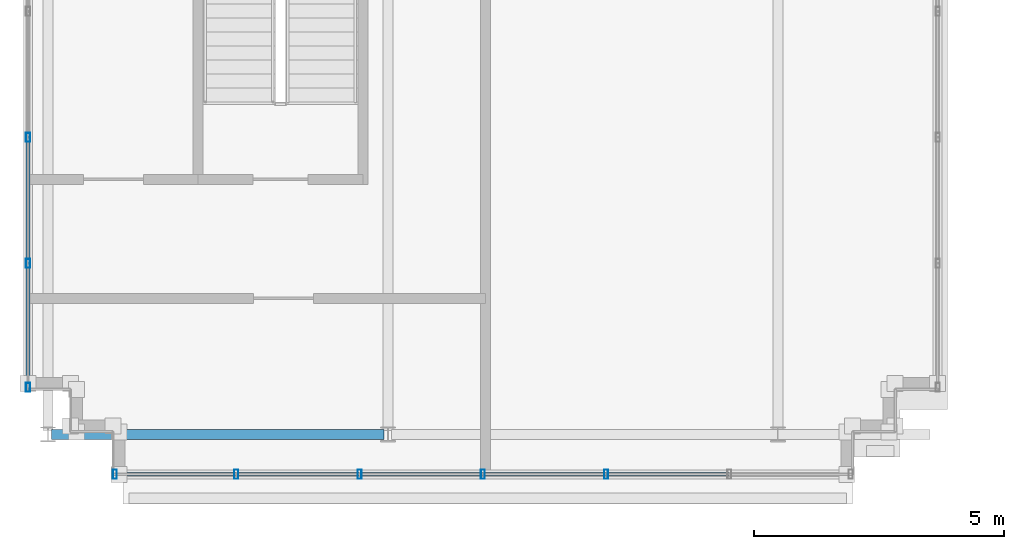
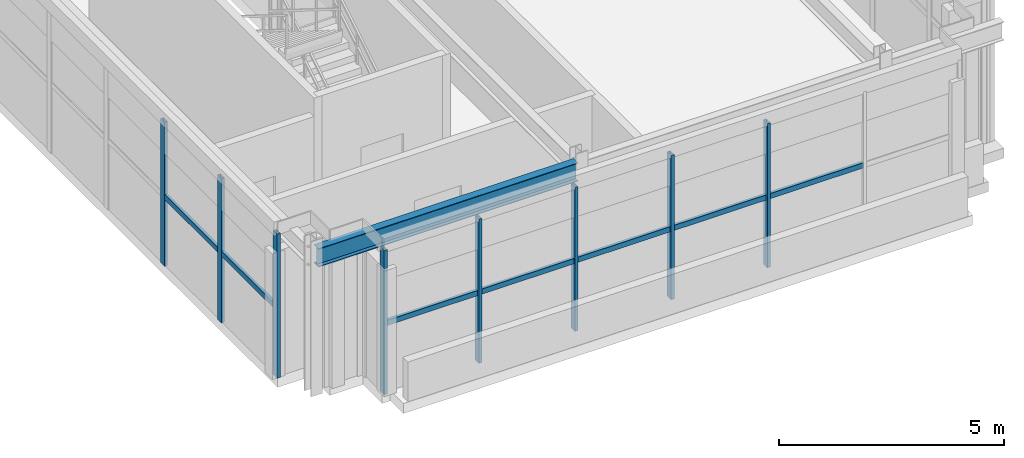
# One storey, part 3 of 25: 15 members, 1 beam, 2 elements without a shape of their own.
"""IFC4 building model written with IfcOpenShell, lengths in metres."""

from ifc_helpers import new_model, si_unit, direction, frame, origin, origin_2d, place, context, subcontext, project, spatial, hollow_rectangle, i_section, extrude, source, transform, mapped, material, material_profile, profile_set, type_object, element, aggregate, save


model = new_model("IFC4")

# Units and contexts
model_context = context("Model", 3, precision=1e-05, world=origin(), true_north=direction((0.0, 1.0)))
body_context = subcontext(model_context, "Body", "Model", "MODEL_VIEW")
ifc_project = project(units=[si_unit("LENGTHUNIT", "METRE"), si_unit("AREAUNIT", "SQUARE_METRE"), si_unit("VOLUMEUNIT", "CUBIC_METRE"), si_unit("PLANEANGLEUNIT", "RADIAN"), si_unit("MASSUNIT", "GRAM", prefix="KILO")], contexts=[model_context])

# Site, building, storey
site_placement = place(None, origin())
site = spatial("IfcSite", under=ifc_project, at=site_placement, CompositionType="ELEMENT")
building_placement = place(site_placement, origin())
building = spatial("IfcBuilding", under=site, at=building_placement, Name="Trelvane Seafront Commons", CompositionType="ELEMENT")
storey_placement = place(building_placement, frame((0.0, 0.0, 316.699951171875)))
storey = spatial("IfcBuildingStorey", under=building, at=storey_placement, Name="L82", CompositionType="ELEMENT", Elevation=316.699951171875)

# Beam
ifc_material_1 = material(Name="Steel SM355 (S355)", Category="steel")
ifc_material_profile_1 = material_profile(ifc_material_1, i_section(OverallWidth=0.199951171875, OverallDepth=0.5, WebThickness=0.010009765625, FlangeThickness=0.01611328125, at=origin_2d()), Name="H-500x200x10x16")
ifc_profile_set_1 = profile_set([ifc_material_profile_1], Name="Steel SM355 (S355)")
beam_type = type_object("IfcBeamType", Name="STR-CROWN-FRAME-RING", PredefinedType="SPANDREL", material=ifc_profile_set_1)
shared_shape_1 = source(origin(), body_context, "Body", "SweptSolid", [
    extrude(i_section(OverallWidth=0.199951171875, OverallDepth=0.5, WebThickness=0.010009765625, FlangeThickness=0.01611328125, at=origin_2d()), origin(), (0.0, 0.0, 1.0), 6.64990234375),
])
beam_placement = place(storey_placement, frame((8.875, 18.199951171875, 3.66015625), z_axis=(1.0, 0.0, 0.0), x_axis=(0.0, 1.0, 0.0)))
element("IfcBeam", 1, at=beam_placement, inside=storey, type_object=beam_type, Name="L82 CROWN FRAME Ring Beam G-01", PredefinedType="SPANDREL", context=body_context, shape_type="MappedRepresentation", body=[
    mapped(shared_shape_1, transform((0.0, 0.0, 0.0), x_axis=(1.0, 0.0, 0.0), y_axis=(0.0, 1.0, 0.0), z_axis=(0.0, 0.0, 1.0), scale=1.0)),
])

# Curtain wall, members
ifc_material_2 = material(Name="Anodised pale-silver aluminium", Category="aluminium")
curtain_wall_type = type_object("IfcCurtainWallType", Name="ARCH-CW6-CROWN", PredefinedType="NOTDEFINED", material=ifc_material_2)
curtain_wall_1_placement = place(storey_placement, origin())
curtain_wall_1 = element("IfcCurtainWall", 2, at=curtain_wall_1_placement, inside=storey, type_object=curtain_wall_type, Name="CW-L82-0152", PredefinedType="NOTDEFINED")
ifc_material_profile_2 = material_profile(ifc_material_2, hollow_rectangle(XDim=0.080078125, YDim=0.179931640625, WallThickness=0.00439453125, at=origin_2d()), Name="MULL-80x180x4.5")
ifc_profile_set_2 = profile_set([ifc_material_profile_2], Name="Anodised pale-silver aluminium")
member_type_1 = type_object("IfcMemberType", Name="ARCH-CW-MULL-180", PredefinedType="MULLION", material=ifc_profile_set_2)
shared_shape_2 = source(origin(), body_context, "Body", "SweptSolid", [
    extrude(hollow_rectangle(XDim=0.080078125, YDim=0.179931640625, WallThickness=0.00439453125, at=origin_2d()), origin(), (0.0, 0.0, 1.0), 3.91015625),
])
member_1_placement = place(storey_placement, frame((8.39990234375, 19.139892578125, 0.0), z_axis=(0.0, 0.0, 1.0), x_axis=(1.0, 0.0, 0.0)))
member_1 = element("IfcMember", 3, at=member_1_placement, type_object=member_type_1, Name="CW-L82-0152-M00", PredefinedType="MULLION", context=body_context, shape_type="MappedRepresentation", body=[
    mapped(shared_shape_2, transform((0.0, 0.0, 0.0), x_axis=(1.0, 0.0, 0.0), y_axis=(0.0, 1.0, 0.0), z_axis=(0.0, 0.0, 1.0), scale=1.0)),
])
member_2_placement = place(storey_placement, frame((8.39990234375, 21.6201171875, 0.0), z_axis=(0.0, 0.0, 1.0), x_axis=(1.0, 0.0, 0.0)))
member_2 = element("IfcMember", 4, at=member_2_placement, type_object=member_type_1, Name="CW-L82-0152-M01", PredefinedType="MULLION", context=body_context, shape_type="MappedRepresentation", body=[
    mapped(shared_shape_2, transform((0.0, 0.0, 0.0), x_axis=(1.0, 0.0, 0.0), y_axis=(0.0, 1.0, 0.0), z_axis=(0.0, 0.0, 1.0), scale=1.0)),
])
member_3_placement = place(storey_placement, frame((8.39990234375, 24.139892578125, 0.0), z_axis=(0.0, 0.0, 1.0), x_axis=(1.0, 0.0, 0.0)))
member_3 = element("IfcMember", 5, at=member_3_placement, type_object=member_type_1, Name="CW-L82-0152-M02", PredefinedType="MULLION", context=body_context, shape_type="MappedRepresentation", body=[
    mapped(shared_shape_2, transform((0.0, 0.0, 0.0), x_axis=(1.0, 0.0, 0.0), y_axis=(0.0, 1.0, 0.0), z_axis=(0.0, 0.0, 1.0), scale=1.0)),
])

curtain_wall_2_placement = place(storey_placement, origin())
curtain_wall_2 = element("IfcCurtainWall", 6, at=curtain_wall_2_placement, inside=storey, type_object=curtain_wall_type, Name="CW-L82-0155", PredefinedType="NOTDEFINED")
member_4_placement = place(storey_placement, frame((19.966796875, 17.39990234375, 0.0), z_axis=(0.0, 0.0, 1.0), x_axis=(1.0, 0.0, 0.0)))
member_4 = element("IfcMember", 7, at=member_4_placement, type_object=member_type_1, Name="CW-L82-0155-M02", PredefinedType="MULLION", context=body_context, shape_type="MappedRepresentation", body=[
    mapped(shared_shape_2, transform((0.0, 0.0, 0.0), x_axis=(1.0, 0.0, 0.0), y_axis=(0.0, 1.0, 0.0), z_axis=(0.0, 0.0, 1.0), scale=1.0)),
])
member_5_placement = place(storey_placement, frame((17.5, 17.39990234375, 0.0), z_axis=(0.0, 0.0, 1.0), x_axis=(1.0, 0.0, 0.0)))
member_5 = element("IfcMember", 8, at=member_5_placement, type_object=member_type_1, Name="CW-L82-0155-M03", PredefinedType="MULLION", context=body_context, shape_type="MappedRepresentation", body=[
    mapped(shared_shape_2, transform((0.0, 0.0, 0.0), x_axis=(1.0, 0.0, 0.0), y_axis=(0.0, 1.0, 0.0), z_axis=(0.0, 0.0, 1.0), scale=1.0)),
])
member_6_placement = place(storey_placement, frame((15.033203125, 17.39990234375, 0.0), z_axis=(0.0, 0.0, 1.0), x_axis=(1.0, 0.0, 0.0)))
member_6 = element("IfcMember", 9, at=member_6_placement, type_object=member_type_1, Name="CW-L82-0155-M04", PredefinedType="MULLION", context=body_context, shape_type="MappedRepresentation", body=[
    mapped(shared_shape_2, transform((0.0, 0.0, 0.0), x_axis=(1.0, 0.0, 0.0), y_axis=(0.0, 1.0, 0.0), z_axis=(0.0, 0.0, 1.0), scale=1.0)),
])
member_7_placement = place(storey_placement, frame((12.566650390625, 17.39990234375, 0.0), z_axis=(0.0, 0.0, 1.0), x_axis=(1.0, 0.0, 0.0)))
member_7 = element("IfcMember", 10, at=member_7_placement, type_object=member_type_1, Name="CW-L82-0155-M05", PredefinedType="MULLION", context=body_context, shape_type="MappedRepresentation", body=[
    mapped(shared_shape_2, transform((0.0, 0.0, 0.0), x_axis=(1.0, 0.0, 0.0), y_axis=(0.0, 1.0, 0.0), z_axis=(0.0, 0.0, 1.0), scale=1.0)),
])
member_8_placement = place(storey_placement, frame((10.139892578125, 17.39990234375, 0.0), z_axis=(0.0, 0.0, 1.0), x_axis=(1.0, 0.0, 0.0)))
member_8 = element("IfcMember", 11, at=member_8_placement, type_object=member_type_1, Name="CW-L82-0155-M06", PredefinedType="MULLION", context=body_context, shape_type="MappedRepresentation", body=[
    mapped(shared_shape_2, transform((0.0, 0.0, 0.0), x_axis=(1.0, 0.0, 0.0), y_axis=(0.0, 1.0, 0.0), z_axis=(0.0, 0.0, 1.0), scale=1.0)),
])

# Member
ifc_material_profile_3 = material_profile(ifc_material_2, hollow_rectangle(XDim=0.074951171875, YDim=0.139892578125, WallThickness=0.00390625, at=origin_2d()), Name="TRAN-75x140x4")
ifc_profile_set_3 = profile_set([ifc_material_profile_3], Name="Anodised pale-silver aluminium")
member_type_2 = type_object("IfcMemberType", Name="ARCH-CW-TRAN-140", PredefinedType="USERDEFINED", material=ifc_profile_set_3)
shared_shape_3 = source(origin(), body_context, "Body", "SweptSolid", [
    extrude(hollow_rectangle(XDim=0.074951171875, YDim=0.139892578125, WallThickness=0.00390625, at=origin_2d()), origin(), (0.0, 0.0, 1.0), 2.495849609375),
])
member_9_placement = place(storey_placement, frame((8.39990234375, 19.112060546875, 1.876953125), z_axis=(0.0, 1.0, 0.0), x_axis=(-1.0, 0.0, 0.0)))
member_9 = element("IfcMember", 12, at=member_9_placement, type_object=member_type_2, Name="CW-L82-0152-T00", ObjectType="TRANSOM", PredefinedType="USERDEFINED", context=body_context, shape_type="MappedRepresentation", body=[
    mapped(shared_shape_3, transform((0.0, 0.0, 0.0), x_axis=(1.0, 0.0, 0.0), y_axis=(0.0, 1.0, 0.0), z_axis=(0.0, 0.0, 1.0), scale=1.0)),
])

member_10_placement = place(storey_placement, frame((8.39990234375, 21.632080078125, 1.876953125), z_axis=(0.0, 1.0, 0.0), x_axis=(-1.0, 0.0, 0.0)))
member_10 = element("IfcMember", 13, at=member_10_placement, type_object=member_type_2, Name="CW-L82-0152-T01", ObjectType="TRANSOM", PredefinedType="USERDEFINED", context=body_context, shape_type="MappedRepresentation", body=[
    mapped(shared_shape_3, transform((0.0, 0.0, 0.0), x_axis=(1.0, 0.0, 0.0), y_axis=(0.0, 1.0, 0.0), z_axis=(0.0, 0.0, 1.0), scale=1.0)),
])

aggregate(curtain_wall_1, [member_1, member_2, member_3, member_9, member_10])

shared_shape_4 = source(origin(), body_context, "Body", "SweptSolid", [
    extrude(hollow_rectangle(XDim=0.074951171875, YDim=0.139892578125, WallThickness=0.00390625, at=origin_2d()), origin(), (0.0, 0.0, 1.0), 2.442626953125),
])
member_11_placement = place(storey_placement, frame((22.42138671875, 17.39990234375, 1.876953125), z_axis=(-1.0, 0.0, 0.0), x_axis=(0.0, -1.0, 0.0)))
member_11 = element("IfcMember", 14, at=member_11_placement, type_object=member_type_2, Name="CW-L82-0155-T01", ObjectType="TRANSOM", PredefinedType="USERDEFINED", context=body_context, shape_type="MappedRepresentation", body=[
    mapped(shared_shape_4, transform((0.0, 0.0, 0.0), x_axis=(1.0, 0.0, 0.0), y_axis=(0.0, 1.0, 0.0), z_axis=(0.0, 0.0, 1.0), scale=1.0)),
])

member_12_placement = place(storey_placement, frame((19.95458984375, 17.39990234375, 1.876953125), z_axis=(-1.0, 0.0, 0.0), x_axis=(0.0, -1.0, 0.0)))
member_12 = element("IfcMember", 15, at=member_12_placement, type_object=member_type_2, Name="CW-L82-0155-T02", ObjectType="TRANSOM", PredefinedType="USERDEFINED", context=body_context, shape_type="MappedRepresentation", body=[
    mapped(shared_shape_4, transform((0.0, 0.0, 0.0), x_axis=(1.0, 0.0, 0.0), y_axis=(0.0, 1.0, 0.0), z_axis=(0.0, 0.0, 1.0), scale=1.0)),
])

member_13_placement = place(storey_placement, frame((17.488037109375, 17.39990234375, 1.876953125), z_axis=(-1.0, 0.0, 0.0), x_axis=(0.0, -1.0, 0.0)))
member_13 = element("IfcMember", 16, at=member_13_placement, type_object=member_type_2, Name="CW-L82-0155-T03", ObjectType="TRANSOM", PredefinedType="USERDEFINED", context=body_context, shape_type="MappedRepresentation", body=[
    mapped(shared_shape_4, transform((0.0, 0.0, 0.0), x_axis=(1.0, 0.0, 0.0), y_axis=(0.0, 1.0, 0.0), z_axis=(0.0, 0.0, 1.0), scale=1.0)),
])

member_14_placement = place(storey_placement, frame((15.021240234375, 17.39990234375, 1.876953125), z_axis=(-1.0, 0.0, 0.0), x_axis=(0.0, -1.0, 0.0)))
member_14 = element("IfcMember", 17, at=member_14_placement, type_object=member_type_2, Name="CW-L82-0155-T04", ObjectType="TRANSOM", PredefinedType="USERDEFINED", context=body_context, shape_type="MappedRepresentation", body=[
    mapped(shared_shape_4, transform((0.0, 0.0, 0.0), x_axis=(1.0, 0.0, 0.0), y_axis=(0.0, 1.0, 0.0), z_axis=(0.0, 0.0, 1.0), scale=1.0)),
])

member_15_placement = place(storey_placement, frame((12.5546875, 17.39990234375, 1.876953125), z_axis=(-1.0, 0.0, 0.0), x_axis=(0.0, -1.0, 0.0)))
member_15 = element("IfcMember", 18, at=member_15_placement, type_object=member_type_2, Name="CW-L82-0155-T05", ObjectType="TRANSOM", PredefinedType="USERDEFINED", context=body_context, shape_type="MappedRepresentation", body=[
    mapped(shared_shape_4, transform((0.0, 0.0, 0.0), x_axis=(1.0, 0.0, 0.0), y_axis=(0.0, 1.0, 0.0), z_axis=(0.0, 0.0, 1.0), scale=1.0)),
])

aggregate(curtain_wall_2, [member_4, member_5, member_6, member_7, member_8, member_11, member_12, member_13, member_14, member_15])

save(model, "model.ifc")
